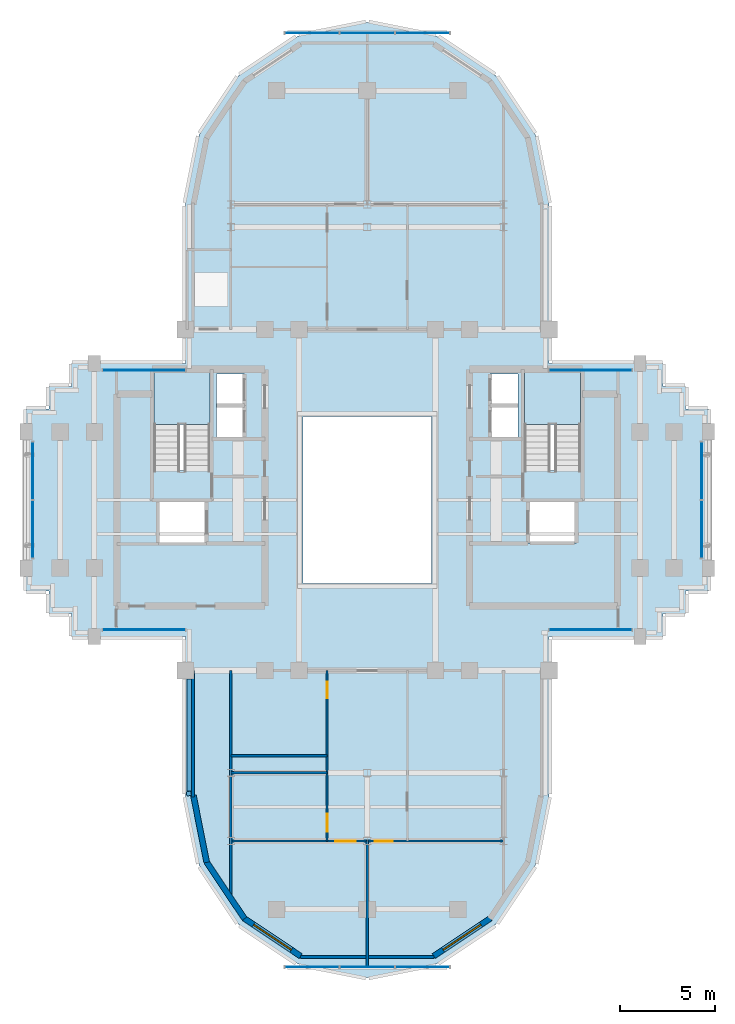
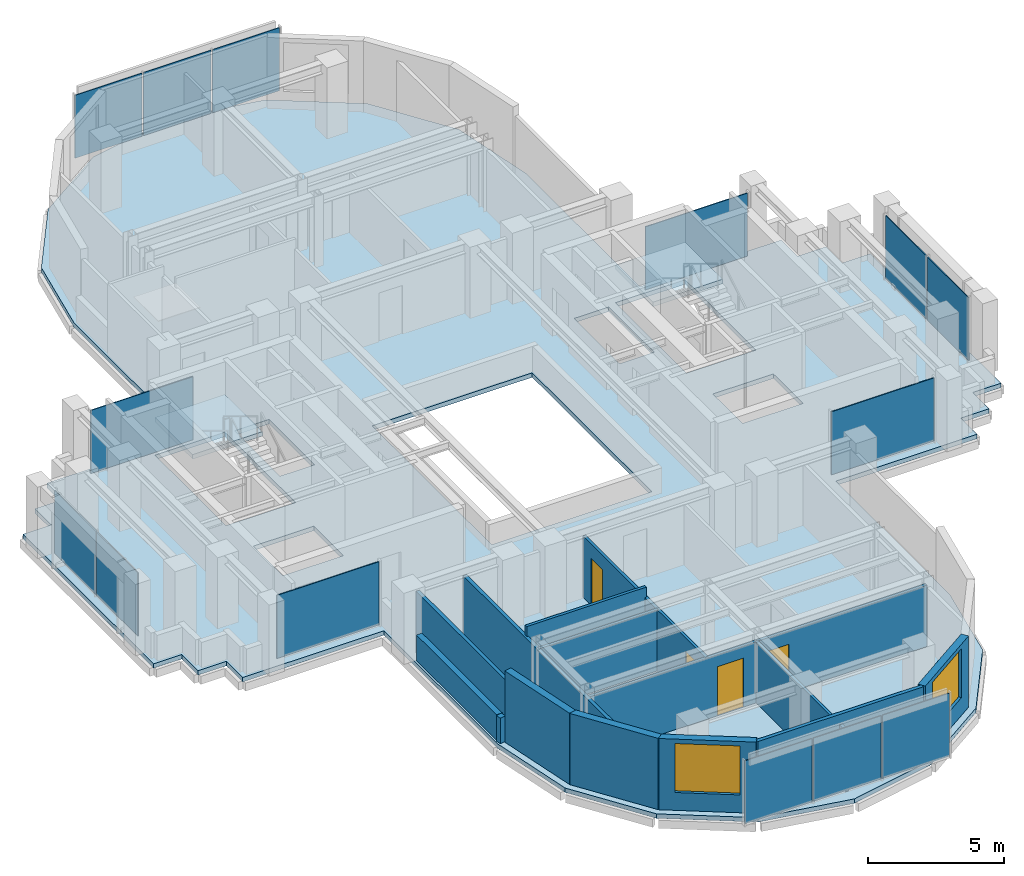
# One storey, part 5 of 11: 14 plates, 14 walls, 4 doors, 3 slabs, 2 windows, 6 openings, 10 elements without a shape of their own.
"""IFC4 building model written with IfcOpenShell, lengths in metres."""

from ifc_helpers import new_model, si_unit, direction, frame, frame_2d, origin, origin_2d, place, context, subcontext, project, spatial, polyline, rectangle, outline, extrude, source, transform, mapped, material, layer, layer_set, type_object, element, fill, aggregate, save


model = new_model("IFC4")

# Units and contexts
model_context = context("Model", 3, precision=1e-05, world=origin(), true_north=direction((0.0, 1.0)))
body_context = subcontext(model_context, "Body", "Model", "MODEL_VIEW")
ifc_project = project(units=[si_unit("LENGTHUNIT", "METRE"), si_unit("AREAUNIT", "SQUARE_METRE"), si_unit("VOLUMEUNIT", "CUBIC_METRE"), si_unit("PLANEANGLEUNIT", "RADIAN"), si_unit("MASSUNIT", "GRAM", prefix="KILO")], contexts=[model_context])

# Site, building, storey
site_placement = place(None, origin())
site = spatial("IfcSite", under=ifc_project, at=site_placement, CompositionType="ELEMENT")
building_placement = place(site_placement, origin())
building = spatial("IfcBuilding", under=site, at=building_placement, Name="Keilestroom Media Tower", CompositionType="ELEMENT")
storey_placement = place(building_placement, frame((0.0, 0.0, 204.60009765625)))
storey = spatial("IfcBuildingStorey", under=building, at=storey_placement, Name="L56", CompositionType="ELEMENT", Elevation=204.60009765625)

# Slab
ifc_material_1 = material(Name="Concrete C50/60", Category="concrete")
ifc_layer_1 = layer(ifc_material_1, 0.199951171875)
ifc_layer_set_1 = layer_set([ifc_layer_1], Name="Concrete C50/60")
slab_type_1 = type_object("IfcSlabType", Name="Composite-Floor-Slab-200", PredefinedType="FLOOR", material=ifc_layer_set_1)
slab_1_placement = place(storey_placement, frame((0.0, 0.0, -0.2001953125)))
element("IfcSlab", 1, at=slab_1_placement, inside=storey, type_object=slab_type_1, Name="L56 Structural Composite Floor Slab", PredefinedType="FLOOR", context=body_context, shape_type="SweptSolid", body=[
    extrude(outline(polyline([(18.0, -4.800048828125), (18.0, 4.800048828125), (16.800048828125, 4.800048828125), (16.800048828125, 6.0), (15.60009765625, 6.0), (15.60009765625, 7.199951171875), (9.60009765625, 7.199951171875), (9.60009765625, 9.60009765625), (9.60009765625, 15.60009765625), (8.869140625, 19.273681640625), (6.7880859375, 22.38818359375), (3.673828125, 24.46923828125), (0.0, 25.199951171875), (-3.673828125, 24.46923828125), (-6.7880859375, 22.38818359375), (-8.869140625, 19.273681640625), (-9.60009765625, 15.60009765625), (-9.60009765625, 9.60009765625), (-9.60009765625, 7.199951171875), (-15.60009765625, 7.199951171875), (-15.60009765625, 6.0), (-16.800048828125, 6.0), (-16.800048828125, 4.800048828125), (-18.0, 4.800048828125), (-18.0, -4.800048828125), (-16.800048828125, -4.800048828125), (-16.800048828125, -6.0), (-15.60009765625, -6.0), (-15.60009765625, -7.199951171875), (-9.60009765625, -7.199951171875), (-9.60009765625, -9.60009765625), (-9.60009765625, -15.60009765625), (-8.869140625, -19.273681640625), (-6.7880859375, -22.38818359375), (-3.673828125, -24.46923828125), (0.0, -25.199951171875), (3.673828125, -24.46923828125), (6.7880859375, -22.38818359375), (8.869140625, -19.273681640625), (9.60009765625, -15.60009765625), (9.60009765625, -9.60009765625), (9.60009765625, -7.199951171875), (15.60009765625, -7.199951171875), (15.60009765625, -6.0), (16.800048828125, -6.0), (16.800048828125, -4.800048828125), (18.0, -4.800048828125)]), holes=[polyline([(-8.300048828125, 1.544921875), (-11.260009765625, 1.544921875), (-11.260009765625, 6.760009765625), (-8.300048828125, 6.760009765625), (-8.300048828125, 1.544921875)]), polyline([(-8.47998046875, -2.280029296875), (-11.050048828125, -2.280029296875), (-11.050048828125, -0.10009765625), (-8.47998046875, -0.10009765625), (-8.47998046875, -2.280029296875)]), polyline([(-6.47998046875, 3.300048828125), (-7.949951171875, 3.300048828125), (-7.949951171875, 6.64990234375), (-6.47998046875, 6.64990234375), (-6.47998046875, 3.300048828125)]), polyline([(3.39990234375, -4.39990234375), (-3.39990234375, -4.39990234375), (-3.39990234375, 4.39990234375), (3.39990234375, 4.39990234375), (3.39990234375, -4.39990234375)]), polyline([(7.949951171875, 3.300048828125), (6.47998046875, 3.300048828125), (6.47998046875, 6.64990234375), (7.949951171875, 6.64990234375), (7.949951171875, 3.300048828125)]), polyline([(11.260009765625, 1.544921875), (8.300048828125, 1.544921875), (8.300048828125, 6.760009765625), (11.260009765625, 6.760009765625), (11.260009765625, 1.544921875)]), polyline([(11.050048828125, -2.280029296875), (8.47998046875, -2.280029296875), (8.47998046875, -0.10009765625), (11.050048828125, -0.10009765625), (11.050048828125, -2.280029296875)])]), origin(), (0.0, 0.0, 1.0), 0.2001953125),
])

# Stair, slab
ifc_material_2 = material(Name="Concrete C45/55", Category="concrete")
stair_type = type_object("IfcStairType", Name="Enclosed-Dog-Leg-Stair-ST-CORE", PredefinedType="HALF_TURN_STAIR", material=ifc_material_2)
stair_1_placement = place(storey_placement, origin())
stair_1 = element("IfcStair", 2, at=stair_1_placement, inside=storey, type_object=stair_type, Name="L56 West Core Escape Stair ST-1", PredefinedType="HALF_TURN_STAIR")
ifc_layer_2 = layer(ifc_material_2, 0.199951171875)
ifc_layer_set_2 = layer_set([ifc_layer_2], Name="Concrete C45/55")
slab_type_2 = type_object("IfcSlabType", Name="Stair-Intermediate-And-Top-Landing-Slab-200", PredefinedType="LANDING", material=ifc_layer_set_2)
slab_2_placement = place(storey_placement, frame((0.0, 0.0, 1.5)))
slab_2 = element("IfcSlab", 3, at=slab_2_placement, type_object=slab_type_2, Name="ST-1 landing 1", PredefinedType="LANDING", context=body_context, shape_type="SweptSolid", body=[
    extrude(outline(polyline([(-8.300048828125, 3.99609375), (-8.300048828125, 6.760009765625), (-11.260009765625, 6.760009765625), (-11.260009765625, 3.99609375), (-8.300048828125, 3.99609375)])), origin(), (0.0, 0.0, 1.0), 0.199951171875),
])
aggregate(stair_1, [slab_2])

stair_2_placement = place(storey_placement, origin())
stair_2 = element("IfcStair", 4, at=stair_2_placement, inside=storey, type_object=stair_type, Name="L56 East Core Escape Stair ST-2", PredefinedType="HALF_TURN_STAIR")
slab_3_placement = place(storey_placement, frame((0.0, 0.0, 1.5)))
slab_3 = element("IfcSlab", 5, at=slab_3_placement, type_object=slab_type_2, Name="ST-2 landing 1", PredefinedType="LANDING", context=body_context, shape_type="SweptSolid", body=[
    extrude(outline(polyline([(11.260009765625, 3.99609375), (11.260009765625, 6.760009765625), (8.300048828125, 6.760009765625), (8.300048828125, 3.99609375), (11.260009765625, 3.99609375)])), origin(), (0.0, 0.0, 1.0), 0.199951171875),
])
aggregate(stair_2, [slab_3])

# Curtain wall, plates
ifc_material_3 = material(Name="Anodised Aluminium Alloy", Category="aluminium")
curtain_wall_type_1 = type_object("IfcCurtainWallType", Name="Unitised-Curtain-Wall-CW-6", PredefinedType="NOTDEFINED", material=ifc_material_3)
curtain_wall_1_placement = place(storey_placement, origin())
curtain_wall_1 = element("IfcCurtainWall", 6, at=curtain_wall_1_placement, inside=storey, type_object=curtain_wall_type_1, Name="L56 Curtain Wall CW-6 CW-L56-LN-1", PredefinedType="NOTDEFINED")
ifc_material_4 = material(Name="Curved-Facet Triple Glazed Unit", Category="glass")
ifc_layer_3 = layer(ifc_material_4, 0.033935546875)
ifc_layer_set_3 = layer_set([ifc_layer_3], Name="Curved-Facet Triple Glazed Unit")
plate_type_1 = type_object("IfcPlateType", Name="Insulated-Curtain-Wall-Glazing-Panel-CW-6", PredefinedType="CURTAIN_PANEL", material=ifc_layer_set_3)
shared_shape_1 = source(origin(), body_context, "Body", "SweptSolid", [
    extrude(rectangle(XDim=2.84375, YDim=0.033935546875, at=origin_2d()), origin(), (0.0, 0.0, 1.0), 2.833984375),
])
plate_1_placement = place(storey_placement, frame((-2.9169921875, 24.64990234375, 0.072998046875), z_axis=(0.0, 0.0, 1.0), x_axis=(1.0, 0.0, 0.0)))
plate_1 = element("IfcPlate", 7, at=plate_1_placement, type_object=plate_type_1, Name="CW-6 Unitised Glazing 00", PredefinedType="CURTAIN_PANEL", context=body_context, shape_type="MappedRepresentation", body=[
    mapped(shared_shape_1, transform((0.0, 0.0, 0.0), x_axis=(1.0, 0.0, 0.0), y_axis=(0.0, 1.0, 0.0), z_axis=(0.0, 0.0, 1.0), scale=1.0)),
])
plate_2_placement = place(storey_placement, frame((2.9169921875, 24.64990234375, 0.072998046875), z_axis=(0.0, 0.0, 1.0), x_axis=(1.0, 0.0, 0.0)))
plate_2 = element("IfcPlate", 8, at=plate_2_placement, type_object=plate_type_1, Name="CW-6 Unitised Glazing 02", PredefinedType="CURTAIN_PANEL", context=body_context, shape_type="MappedRepresentation", body=[
    mapped(shared_shape_1, transform((0.0, 0.0, 0.0), x_axis=(1.0, 0.0, 0.0), y_axis=(0.0, 1.0, 0.0), z_axis=(0.0, 0.0, 1.0), scale=1.0)),
])

curtain_wall_2_placement = place(storey_placement, origin())
curtain_wall_2 = element("IfcCurtainWall", 9, at=curtain_wall_2_placement, inside=storey, type_object=curtain_wall_type_1, Name="L56 Curtain Wall CW-6 CW-L56-LS-1", PredefinedType="NOTDEFINED")
plate_3_placement = place(storey_placement, frame((-2.9169921875, -24.64990234375, 0.072998046875), z_axis=(0.0, 0.0, 1.0), x_axis=(1.0, 0.0, 0.0)))
plate_3 = element("IfcPlate", 10, at=plate_3_placement, type_object=plate_type_1, Name="CW-6 Unitised Glazing 00", PredefinedType="CURTAIN_PANEL", context=body_context, shape_type="MappedRepresentation", body=[
    mapped(shared_shape_1, transform((0.0, 0.0, 0.0), x_axis=(1.0, 0.0, 0.0), y_axis=(0.0, 1.0, 0.0), z_axis=(0.0, 0.0, 1.0), scale=1.0)),
])
plate_4_placement = place(storey_placement, frame((2.9169921875, -24.64990234375, 0.072998046875), z_axis=(0.0, 0.0, 1.0), x_axis=(1.0, 0.0, 0.0)))
plate_4 = element("IfcPlate", 11, at=plate_4_placement, type_object=plate_type_1, Name="CW-6 Unitised Glazing 02", PredefinedType="CURTAIN_PANEL", context=body_context, shape_type="MappedRepresentation", body=[
    mapped(shared_shape_1, transform((0.0, 0.0, 0.0), x_axis=(1.0, 0.0, 0.0), y_axis=(0.0, 1.0, 0.0), z_axis=(0.0, 0.0, 1.0), scale=1.0)),
])

# Plate
shared_shape_2 = source(origin(), body_context, "Body", "SweptSolid", [
    extrude(rectangle(XDim=2.876220703125, YDim=0.033935546875, at=origin_2d()), origin(), (0.0, 0.0, 1.0), 2.833984375),
])
plate_5_placement = place(storey_placement, frame((0.0, 24.64990234375, 0.072998046875), z_axis=(0.0, 0.0, 1.0), x_axis=(1.0, 0.0, 0.0)))
plate_5 = element("IfcPlate", 12, at=plate_5_placement, type_object=plate_type_1, Name="CW-6 Unitised Glazing 01", PredefinedType="CURTAIN_PANEL", context=body_context, shape_type="MappedRepresentation", body=[
    mapped(shared_shape_2, transform((0.0, 0.0, 0.0), x_axis=(1.0, 0.0, 0.0), y_axis=(0.0, 1.0, 0.0), z_axis=(0.0, 0.0, 1.0), scale=1.0)),
])

aggregate(curtain_wall_1, [plate_1, plate_5, plate_2])

plate_6_placement = place(storey_placement, frame((0.0, -24.64990234375, 0.072998046875), z_axis=(0.0, 0.0, 1.0), x_axis=(1.0, 0.0, 0.0)))
plate_6 = element("IfcPlate", 13, at=plate_6_placement, type_object=plate_type_1, Name="CW-6 Unitised Glazing 01", PredefinedType="CURTAIN_PANEL", context=body_context, shape_type="MappedRepresentation", body=[
    mapped(shared_shape_2, transform((0.0, 0.0, 0.0), x_axis=(1.0, 0.0, 0.0), y_axis=(0.0, 1.0, 0.0), z_axis=(0.0, 0.0, 1.0), scale=1.0)),
])

aggregate(curtain_wall_2, [plate_3, plate_6, plate_4])

# Curtain wall, plate
curtain_wall_type_2 = type_object("IfcCurtainWallType", Name="Unitised-Curtain-Wall-CW-3", PredefinedType="NOTDEFINED", material=ifc_material_3)
curtain_wall_3_placement = place(storey_placement, origin())
curtain_wall_3 = element("IfcCurtainWall", 14, at=curtain_wall_3_placement, inside=storey, type_object=curtain_wall_type_2, Name="L56 Curtain Wall CW-3 CW-L56-NW-1", PredefinedType="NOTDEFINED")
ifc_material_5 = material(Name="Triple Glazed Acoustic Low-E Unit", Category="glass")
ifc_layer_4 = layer(ifc_material_5, 0.0380859375)
ifc_layer_set_4 = layer_set([ifc_layer_4], Name="Triple Glazed Acoustic Low-E Unit")
plate_type_2 = type_object("IfcPlateType", Name="Insulated-Curtain-Wall-Glazing-Panel-CW-3", PredefinedType="CURTAIN_PANEL", material=ifc_layer_set_4)
shared_shape_3 = source(origin(), body_context, "Body", "SweptSolid", [
    extrude(rectangle(XDim=4.343017578125, YDim=0.0380859375, at=origin_2d()), origin(), (0.0, 0.0, 1.0), 2.833984375),
])
plate_7_placement = place(storey_placement, frame((-11.782470703125, 6.85009765625, 0.072998046875), z_axis=(0.0, 0.0, 1.0), x_axis=(1.0, 0.0, 0.0)))
plate_7 = element("IfcPlate", 15, at=plate_7_placement, type_object=plate_type_2, Name="CW-3 Unitised Glazing 00", PredefinedType="CURTAIN_PANEL", context=body_context, shape_type="MappedRepresentation", body=[
    mapped(shared_shape_3, transform((0.0, 0.0, 0.0), x_axis=(1.0, 0.0, 0.0), y_axis=(0.0, 1.0, 0.0), z_axis=(0.0, 0.0, 1.0), scale=1.0)),
])
aggregate(curtain_wall_3, [plate_7])

curtain_wall_4_placement = place(storey_placement, origin())
curtain_wall_4 = element("IfcCurtainWall", 16, at=curtain_wall_4_placement, inside=storey, type_object=curtain_wall_type_2, Name="L56 Curtain Wall CW-3 CW-L56-NE-1", PredefinedType="NOTDEFINED")
plate_8_placement = place(storey_placement, frame((11.782470703125, 6.85009765625, 0.072998046875), z_axis=(0.0, 0.0, 1.0), x_axis=(1.0, 0.0, 0.0)))
plate_8 = element("IfcPlate", 17, at=plate_8_placement, type_object=plate_type_2, Name="CW-3 Unitised Glazing 00", PredefinedType="CURTAIN_PANEL", context=body_context, shape_type="MappedRepresentation", body=[
    mapped(shared_shape_3, transform((0.0, 0.0, 0.0), x_axis=(1.0, 0.0, 0.0), y_axis=(0.0, 1.0, 0.0), z_axis=(0.0, 0.0, 1.0), scale=1.0)),
])
aggregate(curtain_wall_4, [plate_8])

curtain_wall_5_placement = place(storey_placement, origin())
curtain_wall_5 = element("IfcCurtainWall", 18, at=curtain_wall_5_placement, inside=storey, type_object=curtain_wall_type_2, Name="L56 Curtain Wall CW-3 CW-L56-SW-1", PredefinedType="NOTDEFINED")
plate_9_placement = place(storey_placement, frame((-11.782470703125, -6.85009765625, 0.072998046875), z_axis=(0.0, 0.0, 1.0), x_axis=(1.0, 0.0, 0.0)))
plate_9 = element("IfcPlate", 19, at=plate_9_placement, type_object=plate_type_2, Name="CW-3 Unitised Glazing 00", PredefinedType="CURTAIN_PANEL", context=body_context, shape_type="MappedRepresentation", body=[
    mapped(shared_shape_3, transform((0.0, 0.0, 0.0), x_axis=(1.0, 0.0, 0.0), y_axis=(0.0, 1.0, 0.0), z_axis=(0.0, 0.0, 1.0), scale=1.0)),
])
aggregate(curtain_wall_5, [plate_9])

curtain_wall_6_placement = place(storey_placement, origin())
curtain_wall_6 = element("IfcCurtainWall", 20, at=curtain_wall_6_placement, inside=storey, type_object=curtain_wall_type_2, Name="L56 Curtain Wall CW-3 CW-L56-SE-1", PredefinedType="NOTDEFINED")
plate_10_placement = place(storey_placement, frame((11.782470703125, -6.85009765625, 0.072998046875), z_axis=(0.0, 0.0, 1.0), x_axis=(1.0, 0.0, 0.0)))
plate_10 = element("IfcPlate", 21, at=plate_10_placement, type_object=plate_type_2, Name="CW-3 Unitised Glazing 00", PredefinedType="CURTAIN_PANEL", context=body_context, shape_type="MappedRepresentation", body=[
    mapped(shared_shape_3, transform((0.0, 0.0, 0.0), x_axis=(1.0, 0.0, 0.0), y_axis=(0.0, 1.0, 0.0), z_axis=(0.0, 0.0, 1.0), scale=1.0)),
])
aggregate(curtain_wall_6, [plate_10])

# Curtain wall, plates
curtain_wall_7_placement = place(storey_placement, origin())
curtain_wall_7 = element("IfcCurtainWall", 22, at=curtain_wall_7_placement, inside=storey, type_object=curtain_wall_type_2, Name="L56 Curtain Wall CW-3 CW-L56-W-1", PredefinedType="NOTDEFINED")
shared_shape_4 = source(origin(), body_context, "Body", "SweptSolid", [
    extrude(rectangle(XDim=3.025390625, YDim=0.0380859375, at=origin_2d()), origin(), (0.0, 0.0, 1.0), 2.833984375),
])
plate_11_placement = place(storey_placement, frame((-17.64990234375, -1.541259765625, 0.072998046875), z_axis=(0.0, 0.0, 1.0), x_axis=(0.0, 1.0, 0.0)))
plate_11 = element("IfcPlate", 23, at=plate_11_placement, type_object=plate_type_2, Name="CW-3 Unitised Glazing 00", PredefinedType="CURTAIN_PANEL", context=body_context, shape_type="MappedRepresentation", body=[
    mapped(shared_shape_4, transform((0.0, 0.0, 0.0), x_axis=(1.0, 0.0, 0.0), y_axis=(0.0, 1.0, 0.0), z_axis=(0.0, 0.0, 1.0), scale=1.0)),
])
plate_12_placement = place(storey_placement, frame((-17.64990234375, 1.541259765625, 0.072998046875), z_axis=(0.0, 0.0, 1.0), x_axis=(0.0, 1.0, 0.0)))
plate_12 = element("IfcPlate", 24, at=plate_12_placement, type_object=plate_type_2, Name="CW-3 Unitised Glazing 01", PredefinedType="CURTAIN_PANEL", context=body_context, shape_type="MappedRepresentation", body=[
    mapped(shared_shape_4, transform((0.0, 0.0, 0.0), x_axis=(1.0, 0.0, 0.0), y_axis=(0.0, 1.0, 0.0), z_axis=(0.0, 0.0, 1.0), scale=1.0)),
])
aggregate(curtain_wall_7, [plate_11, plate_12])

curtain_wall_8_placement = place(storey_placement, origin())
curtain_wall_8 = element("IfcCurtainWall", 25, at=curtain_wall_8_placement, inside=storey, type_object=curtain_wall_type_2, Name="L56 Curtain Wall CW-3 CW-L56-E-1", PredefinedType="NOTDEFINED")
plate_13_placement = place(storey_placement, frame((17.64990234375, -1.541259765625, 0.072998046875), z_axis=(0.0, 0.0, 1.0), x_axis=(0.0, 1.0, 0.0)))
plate_13 = element("IfcPlate", 26, at=plate_13_placement, type_object=plate_type_2, Name="CW-3 Unitised Glazing 00", PredefinedType="CURTAIN_PANEL", context=body_context, shape_type="MappedRepresentation", body=[
    mapped(shared_shape_4, transform((0.0, 0.0, 0.0), x_axis=(1.0, 0.0, 0.0), y_axis=(0.0, 1.0, 0.0), z_axis=(0.0, 0.0, 1.0), scale=1.0)),
])
plate_14_placement = place(storey_placement, frame((17.64990234375, 1.541259765625, 0.072998046875), z_axis=(0.0, 0.0, 1.0), x_axis=(0.0, 1.0, 0.0)))
plate_14 = element("IfcPlate", 27, at=plate_14_placement, type_object=plate_type_2, Name="CW-3 Unitised Glazing 01", PredefinedType="CURTAIN_PANEL", context=body_context, shape_type="MappedRepresentation", body=[
    mapped(shared_shape_4, transform((0.0, 0.0, 0.0), x_axis=(1.0, 0.0, 0.0), y_axis=(0.0, 1.0, 0.0), z_axis=(0.0, 0.0, 1.0), scale=1.0)),
])
aggregate(curtain_wall_8, [plate_13, plate_14])

# Walls
ifc_material_6 = material(Name="Precast concrete C40/50", Category="concrete")
ifc_layer_5 = layer(ifc_material_6, 0.300048828125)
ifc_layer_set_5 = layer_set([ifc_layer_5], Name="Precast concrete C40/50")
wall_type_1 = type_object("IfcWallType", Name="Exterior-Masonry-Spandrel-Wall-300", PredefinedType="SOLIDWALL", material=ifc_layer_set_5)
for number, where, z_axis, x_axis, name in (
    (28, (-9.1748046875, -15.585205078125, 0.0), (0.0, 0.0, 1.0), (0.195114232679, -0.980780523974, 0.0), "L56 Lobe Facet Precast Frame Wall 07"),
    (29, (-8.48193359375, -19.097412109375, 0.0), (0.0, 0.0, 1.0), (0.555574187116, -0.831466970246, 0.0), "L56 Lobe Facet Precast Frame Wall 08"),
):
    element("IfcWall", number, at=place(storey_placement, frame(where, z_axis=z_axis, x_axis=x_axis)), inside=storey, type_object=wall_type_1, Name=name, PredefinedType="SOLIDWALL", context=body_context, shape_type="SweptSolid", body=[
        extrude(rectangle(XDim=3.608642578125, YDim=0.300048828125, at=frame_2d((1.80419921875, 0.0))), origin(), (0.0, 0.0, 1.0), 3.199951171875),
    ])

# Wall, opening, window
wall_1_placement = place(storey_placement, frame((-6.497802734375, -22.0771484375, 0.0), z_axis=(0.0, 0.0, 1.0), x_axis=(0.8314749531, -0.555562239868, 0.0)))
wall_1 = element("IfcWall", 30, at=wall_1_placement, inside=storey, type_object=wall_type_1, Name="L56 Lobe Facet Precast Frame Wall 09", PredefinedType="SOLIDWALL", context=body_context, shape_type="SweptSolid", body=[
    extrude(rectangle(XDim=3.59326171875, YDim=0.300048828125, at=frame_2d((1.796630859375, 0.0))), origin(), (0.0, 0.0, 1.0), 3.199951171875),
])
opening_1_placement = place(wall_1_placement, frame((0.596923828125, 0.0, 0.800048828125)))
opening_1 = element("IfcOpeningElement", 31, at=opening_1_placement, cuts=wall_1, Name="Opening WN-02", PredefinedType="OPENING", context=body_context, shape_type="SweptSolid", body=[
    extrude(rectangle(XDim=2.39990234375, YDim=2.199951171875, at=frame_2d((1.199951171875, 1.10009765625))), frame((0.0, 0.16015625, 0.0), z_axis=(0.0, -1.0, 0.0), x_axis=(1.0, 0.0, 0.0)), (0.0, 0.0, 1.0), 0.320068359375),
])
ifc_material_7 = material(Name="Triple Glazed Low-E Window Unit", Category="glass")
window_type = type_object("IfcWindowType", Name="Recessed-Punched-Window-WN-02", PartitioningType="DOUBLE_PANEL_VERTICAL", PredefinedType="WINDOW", material=ifc_material_7)
shared_shape_5 = source(origin(), body_context, "Body", "SweptSolid", [
    extrude(rectangle(XDim=2.39990234375, YDim=2.199951171875, at=frame_2d((1.199951171875, 1.10009765625))), frame((0.0, 0.030029296875, 0.0), z_axis=(0.0, -1.0, 0.0), x_axis=(1.0, 0.0, 0.0)), (0.0, 0.0, 1.0), 0.06005859375),
])
window_1_placement = place(opening_1_placement, origin())
window_1 = element("IfcWindow", 32, at=window_1_placement, inside=storey, type_object=window_type, Name="L56 Bedroom Lobe Window WN-02 EWL-L56-LCHK-09", OverallHeight=2.199951171875, OverallWidth=2.39990234375, PartitioningType="SINGLE_PANEL", PredefinedType="WINDOW", context=body_context, shape_type="MappedRepresentation", body=[
    mapped(shared_shape_5, transform((0.0, 0.0, 0.0), x_axis=(1.0, 0.0, 0.0), y_axis=(0.0, 1.0, 0.0), z_axis=(0.0, 0.0, 1.0), scale=1.0)),
])
fill(opening_1, window_1)

wall_2_placement = place(storey_placement, frame((3.510009765625, -24.073486328125, 0.0), z_axis=(0.0, 0.0, 1.0), x_axis=(0.8314749531, 0.555562239868, 0.0)))
wall_2 = element("IfcWall", 33, at=wall_2_placement, inside=storey, type_object=wall_type_1, Name="L56 Lobe Facet Precast Frame Wall 10", PredefinedType="SOLIDWALL", context=body_context, shape_type="SweptSolid", body=[
    extrude(rectangle(XDim=3.59326171875, YDim=0.300048828125, at=frame_2d((1.796630859375, 0.0))), origin(), (0.0, 0.0, 1.0), 3.199951171875),
])
opening_2_placement = place(wall_2_placement, frame((0.596923828125, 0.0, 0.800048828125)))
opening_2 = element("IfcOpeningElement", 34, at=opening_2_placement, cuts=wall_2, Name="Opening WN-02", PredefinedType="OPENING", context=body_context, shape_type="SweptSolid", body=[
    extrude(rectangle(XDim=2.39990234375, YDim=2.199951171875, at=frame_2d((1.199951171875, 1.10009765625))), frame((0.0, 0.16015625, 0.0), z_axis=(0.0, -1.0, 0.0), x_axis=(1.0, 0.0, 0.0)), (0.0, 0.0, 1.0), 0.320068359375),
])
window_2_placement = place(opening_2_placement, origin())
window_2 = element("IfcWindow", 35, at=window_2_placement, inside=storey, type_object=window_type, Name="L56 Bedroom Lobe Window WN-02 EWL-L56-LCHK-10", OverallHeight=2.199951171875, OverallWidth=2.39990234375, PartitioningType="SINGLE_PANEL", PredefinedType="WINDOW", context=body_context, shape_type="MappedRepresentation", body=[
    mapped(shared_shape_5, transform((0.0, 0.0, 0.0), x_axis=(1.0, 0.0, 0.0), y_axis=(0.0, 1.0, 0.0), z_axis=(0.0, 0.0, 1.0), scale=1.0)),
])
fill(opening_2, window_2)

# Wall, openings, doors
ifc_material_8 = material(Name="Gypsum Plasterboard & Steel Stud", Category="steel")
ifc_layer_6 = layer(ifc_material_8, 0.1201171875)
ifc_layer_set_6 = layer_set([ifc_layer_6], Name="Gypsum Plasterboard & Steel Stud")
wall_type_2 = type_object("IfcWallType", Name="Interior-Partition-Wall-120", PredefinedType="PARTITIONING", material=ifc_layer_set_6)
wall_3_placement = place(storey_placement, frame((-2.1201171875, -18.0, 0.0), z_axis=(0.0, 0.0, 1.0), x_axis=(0.0, 1.0, 0.0)))
wall_3 = element("IfcWall", 36, at=wall_3_placement, inside=storey, type_object=wall_type_2, Name="L56 Interior Wall WP-L56-FW-S-HW", PredefinedType="PARTITIONING", context=body_context, shape_type="SweptSolid", body=[
    extrude(rectangle(XDim=9.0, YDim=0.1201171875, at=frame_2d((4.5, 0.0))), origin(), (0.0, 0.0, 1.0), 2.75),
])
opening_3_placement = place(wall_3_placement, frame((7.550048828125, 0.0, 0.0)))
opening_3 = element("IfcOpeningElement", 37, at=opening_3_placement, cuts=wall_3, Name="Opening DI-05", PredefinedType="OPENING", context=body_context, shape_type="SweptSolid", body=[
    extrude(rectangle(XDim=0.85009765625, YDim=2.10009765625, at=frame_2d((0.425048828125, 1.050048828125))), frame((0.0, 0.070068359375, 0.0), z_axis=(0.0, -1.0, 0.0), x_axis=(1.0, 0.0, 0.0)), (0.0, 0.0, 1.0), 0.14013671875),
])
opening_4_placement = place(wall_3_placement, frame((0.5, 0.0, 0.0)))
opening_4 = element("IfcOpeningElement", 38, at=opening_4_placement, cuts=wall_3, Name="Opening DI-03", PredefinedType="OPENING", context=body_context, shape_type="SweptSolid", body=[
    extrude(rectangle(XDim=0.949951171875, YDim=2.14990234375, at=frame_2d((0.47509765625, 1.074951171875))), frame((0.0, 0.070068359375, 0.0), z_axis=(0.0, -1.0, 0.0), x_axis=(1.0, 0.0, 0.0)), (0.0, 0.0, 1.0), 0.14013671875),
])
ifc_material_9 = material(Name="Lacquered European Oak Leaf", Category="wood")
door_type_1 = type_object("IfcDoorType", Name="Interior-Room-And-Suite-Door-DI-03", OperationType="NOTDEFINED", PredefinedType="DOOR", material=ifc_material_9)
shared_shape_6 = source(origin(), body_context, "Body", "SweptSolid", [
    extrude(rectangle(XDim=0.949951171875, YDim=2.14990234375, at=frame_2d((0.47509765625, 1.074951171875))), frame((0.0, 0.02490234375, 0.0), z_axis=(0.0, -1.0, 0.0), x_axis=(1.0, 0.0, 0.0)), (0.0, 0.0, 1.0), 0.050048828125),
])
door_1_placement = place(opening_4_placement, origin())
door_1 = element("IfcDoor", 39, at=door_1_placement, inside=storey, type_object=door_type_1, Name="L56 Interior Door DI-L56-DFBD2-S", OperationType="SINGLE_SWING_RIGHT", OverallHeight=2.14990234375, OverallWidth=0.949951171875, PredefinedType="DOOR", context=body_context, shape_type="MappedRepresentation", body=[
    mapped(shared_shape_6, transform((0.0, 0.0, 0.0), x_axis=(1.0, 0.0, 0.0), y_axis=(0.0, 1.0, 0.0), z_axis=(0.0, 0.0, 1.0), scale=1.0)),
])
fill(opening_4, door_1)
ifc_material_10 = material(Name="Moisture-Resistant Oak Leaf", Category="wood")
door_type_2 = type_object("IfcDoorType", Name="Interior-En-Suite-And-Cupboard-Door-DI-05", OperationType="NOTDEFINED", PredefinedType="DOOR", material=ifc_material_10)
shared_shape_7 = source(origin(), body_context, "Body", "SweptSolid", [
    extrude(rectangle(XDim=0.85009765625, YDim=2.10009765625, at=frame_2d((0.425048828125, 1.050048828125))), frame((0.0, 0.02490234375, 0.0), z_axis=(0.0, -1.0, 0.0), x_axis=(1.0, 0.0, 0.0)), (0.0, 0.0, 1.0), 0.050048828125),
])
door_2_placement = place(opening_3_placement, origin())
door_2 = element("IfcDoor", 40, at=door_2_placement, inside=storey, type_object=door_type_2, Name="L56 Interior Door DI-L56-DFBTH-S", OperationType="SINGLE_SWING_LEFT", OverallHeight=2.10009765625, OverallWidth=0.85009765625, PredefinedType="DOOR", context=body_context, shape_type="MappedRepresentation", body=[
    mapped(shared_shape_7, transform((0.0, 0.0, 0.0), x_axis=(1.0, 0.0, 0.0), y_axis=(0.0, 1.0, 0.0), z_axis=(0.0, 0.0, 1.0), scale=1.0)),
])
fill(opening_3, door_2)

# Wall
wall_4_placement = place(storey_placement, frame((-7.199951171875, -13.5, 0.0), z_axis=(0.0, 0.0, 1.0), x_axis=(1.0, 0.0, 0.0)))
element("IfcWall", 41, at=wall_4_placement, inside=storey, type_object=wall_type_2, Name="L56 Interior Wall WP-L56-FW-S-HB", PredefinedType="PARTITIONING", context=body_context, shape_type="SweptSolid", body=[
    extrude(rectangle(XDim=5.079833984375, YDim=0.1201171875, at=frame_2d((2.5400390625, 0.0))), origin(), (0.0, 0.0, 1.0), 3.199951171875),
])

# Wall, openings, doors
wall_5_placement = place(storey_placement, frame((-7.199951171875, -18.0, 0.0), z_axis=(0.0, 0.0, 1.0), x_axis=(1.0, 0.0, 0.0)))
wall_5 = element("IfcWall", 42, at=wall_5_placement, inside=storey, type_object=wall_type_2, Name="L56 Interior Wall WP-L56-FW-S-MID", PredefinedType="PARTITIONING", context=body_context, shape_type="SweptSolid", body=[
    extrude(rectangle(XDim=14.39990234375, YDim=0.1201171875, at=frame_2d((7.199951171875, 0.0))), origin(), (0.0, 0.0, 1.0), 2.75),
])
opening_5_placement = place(wall_5_placement, frame((5.5, 0.0, 0.0)))
opening_5 = element("IfcOpeningElement", 43, at=opening_5_placement, cuts=wall_5, Name="Opening DI-04", PredefinedType="OPENING", context=body_context, shape_type="SweptSolid", body=[
    extrude(rectangle(XDim=1.10009765625, YDim=2.199951171875, at=frame_2d((0.550048828125, 1.10009765625))), frame((0.0, 0.070068359375, 0.0), z_axis=(0.0, -1.0, 0.0), x_axis=(1.0, 0.0, 0.0)), (0.0, 0.0, 1.0), 0.14013671875),
])
opening_6_placement = place(wall_5_placement, frame((7.60009765625, 0.0, 0.0)))
opening_6 = element("IfcOpeningElement", 44, at=opening_6_placement, cuts=wall_5, Name="Opening DI-03", PredefinedType="OPENING", context=body_context, shape_type="SweptSolid", body=[
    extrude(rectangle(XDim=0.949951171875, YDim=2.14990234375, at=frame_2d((0.47509765625, 1.074951171875))), frame((0.0, 0.070068359375, 0.0), z_axis=(0.0, -1.0, 0.0), x_axis=(1.0, 0.0, 0.0)), (0.0, 0.0, 1.0), 0.14013671875),
])
door_3_placement = place(opening_6_placement, origin())
door_3 = element("IfcDoor", 45, at=door_3_placement, inside=storey, type_object=door_type_1, Name="L56 Interior Door DI-L56-DFBD1-S", OperationType="SINGLE_SWING_LEFT", OverallHeight=2.14990234375, OverallWidth=0.949951171875, PredefinedType="DOOR", context=body_context, shape_type="MappedRepresentation", body=[
    mapped(shared_shape_6, transform((0.0, 0.0, 0.0), x_axis=(1.0, 0.0, 0.0), y_axis=(0.0, 1.0, 0.0), z_axis=(0.0, 0.0, 1.0), scale=1.0)),
])
fill(opening_6, door_3)
ifc_material_11 = material(Name="Acoustic Glazed Aluminium Leaf", Category="aluminium")
door_type_3 = type_object("IfcDoorType", Name="Interior-Room-And-Suite-Door-DI-04", OperationType="NOTDEFINED", PredefinedType="DOOR", material=ifc_material_11)
shared_shape_8 = source(origin(), body_context, "Body", "SweptSolid", [
    extrude(rectangle(XDim=1.10009765625, YDim=2.199951171875, at=frame_2d((0.550048828125, 1.10009765625))), frame((0.0, 0.02490234375, 0.0), z_axis=(0.0, -1.0, 0.0), x_axis=(1.0, 0.0, 0.0)), (0.0, 0.0, 1.0), 0.050048828125),
])
door_4_placement = place(opening_5_placement, origin())
door_4 = element("IfcDoor", 46, at=door_4_placement, inside=storey, type_object=door_type_3, Name="L56 Interior Door DI-L56-DFLIV-S", OperationType="SINGLE_SWING_RIGHT", OverallHeight=2.199951171875, OverallWidth=1.10009765625, PredefinedType="DOOR", context=body_context, shape_type="MappedRepresentation", body=[
    mapped(shared_shape_8, transform((0.0, 0.0, 0.0), x_axis=(1.0, 0.0, 0.0), y_axis=(0.0, 1.0, 0.0), z_axis=(0.0, 0.0, 1.0), scale=1.0)),
])
fill(opening_5, door_4)

# Walls
wall_6_placement = place(storey_placement, frame((0.0, -24.64990234375, 0.0), z_axis=(0.0, 0.0, 1.0), x_axis=(0.0, 1.0, 0.0)))
element("IfcWall", 47, at=wall_6_placement, inside=storey, type_object=wall_type_2, Name="L56 Interior Wall WP-L56-FW-S-SP", PredefinedType="PARTITIONING", context=body_context, shape_type="SweptSolid", body=[
    extrude(rectangle(XDim=6.64990234375, YDim=0.1201171875, at=frame_2d((3.324951171875, 0.0))), origin(), (0.0, 0.0, 1.0), 2.75),
])
wall_7_placement = place(storey_placement, frame((-7.199951171875, -14.39990234375, 0.0), z_axis=(0.0, 0.0, 1.0), x_axis=(1.0, 0.0, 0.0)))
element("IfcWall", 48, at=wall_7_placement, inside=storey, type_object=wall_type_2, Name="L56 Interior Wall WP-L56-FW-S-C14", PredefinedType="PARTITIONING", context=body_context, shape_type="SweptSolid", body=[
    extrude(rectangle(XDim=5.079833984375, YDim=0.1201171875, at=frame_2d((2.5400390625, 0.0))), origin(), (0.0, 0.0, 1.0), 2.75),
])
ifc_layer_7 = layer(ifc_material_8, 0.14990234375)
ifc_layer_set_7 = layer_set([ifc_layer_7], Name="Gypsum Plasterboard & Steel Stud")
wall_type_3 = type_object("IfcWallType", Name="Interior-Partition-Wall-150", PredefinedType="PARTITIONING", material=ifc_layer_set_7)
wall_8_placement = place(storey_placement, frame((-9.199951171875, -15.679931640625, 0.0), z_axis=(0.0, 0.0, 1.0), x_axis=(0.0, 1.0, 0.0)))
element("IfcWall", 49, at=wall_8_placement, inside=storey, type_object=wall_type_3, Name="L56 Interior Wall WP-L56-SL-CHKW", PredefinedType="PARTITIONING", context=body_context, shape_type="SweptSolid", body=[
    extrude(rectangle(XDim=6.679931640625, YDim=0.14990234375, at=frame_2d((3.33984375, 0.0))), origin(), (0.0, 0.0, 1.0), 2.75),
])
wall_9_placement = place(storey_placement, frame((-7.199951171875, -21.02001953125, 0.0), z_axis=(0.0, 0.0, 1.0), x_axis=(0.0, 1.0, 0.0)))
element("IfcWall", 50, at=wall_9_placement, inside=storey, type_object=wall_type_3, Name="L56 Interior Wall WP-L56-FW-S-VL", PredefinedType="PARTITIONING", context=body_context, shape_type="SweptSolid", body=[
    extrude(rectangle(XDim=12.02001953125, YDim=0.14990234375, at=frame_2d((6.010009765625, 0.0))), origin(), (0.0, 0.0, 1.0), 2.75),
])
wall_10_placement = place(storey_placement, frame((-3.52001953125, -24.1201171875, 0.0), z_axis=(0.0, 0.0, 1.0), x_axis=(1.0, 0.0, 0.0)))
element("IfcWall", 51, at=wall_10_placement, inside=storey, type_object=wall_type_3, Name="L56 Interior Wall WP-L56-FW-S-TIP", PredefinedType="PARTITIONING", context=body_context, shape_type="SweptSolid", body=[
    extrude(rectangle(XDim=7.0400390625, YDim=0.14990234375, at=frame_2d((3.52001953125, 0.0))), origin(), (0.0, 0.0, 1.0), 3.199951171875),
])
ifc_layer_8 = layer(ifc_material_6, 0.239990234375)
ifc_layer_set_8 = layer_set([ifc_layer_8], Name="Precast concrete C40/50")
wall_type_4 = type_object("IfcWallType", Name="Roof-And-Terrace-Parapet-Wall-240", PredefinedType="PARAPET", material=ifc_layer_set_8)
wall_11_placement = place(storey_placement, frame((-9.395263671875, -15.604248046875, 0.0), z_axis=(0.0, 0.0, 1.0), x_axis=(-0.194652052864, 0.980872355771, 0.0)))
element("IfcWall", 52, at=wall_11_placement, inside=storey, type_object=wall_type_4, Name="L56 Perimeter Edge Parapet Wall 09", PredefinedType="PARAPET", context=body_context, shape_type="SweptSolid", body=[
    extrude(rectangle(XDim=0.224609375, YDim=0.239990234375, at=frame_2d((0.1123046875, 0.0))), origin(), (0.0, 0.0, 1.0), 1.14990234375),
])
wall_12_placement = place(storey_placement, frame((-9.39990234375, -15.357666015625, 0.0), z_axis=(0.0, 0.0, 1.0), x_axis=(0.0, 1.0, 0.0)))
element("IfcWall", 53, at=wall_12_placement, inside=storey, type_object=wall_type_4, Name="L56 Perimeter Edge Parapet Wall 10", PredefinedType="PARAPET", context=body_context, shape_type="SweptSolid", body=[
    extrude(rectangle(XDim=5.90478515625, YDim=0.239990234375, at=frame_2d((2.952392578125, 0.0))), origin(), (0.0, 0.0, 1.0), 1.14990234375),
])

save(model, "model.ifc")
